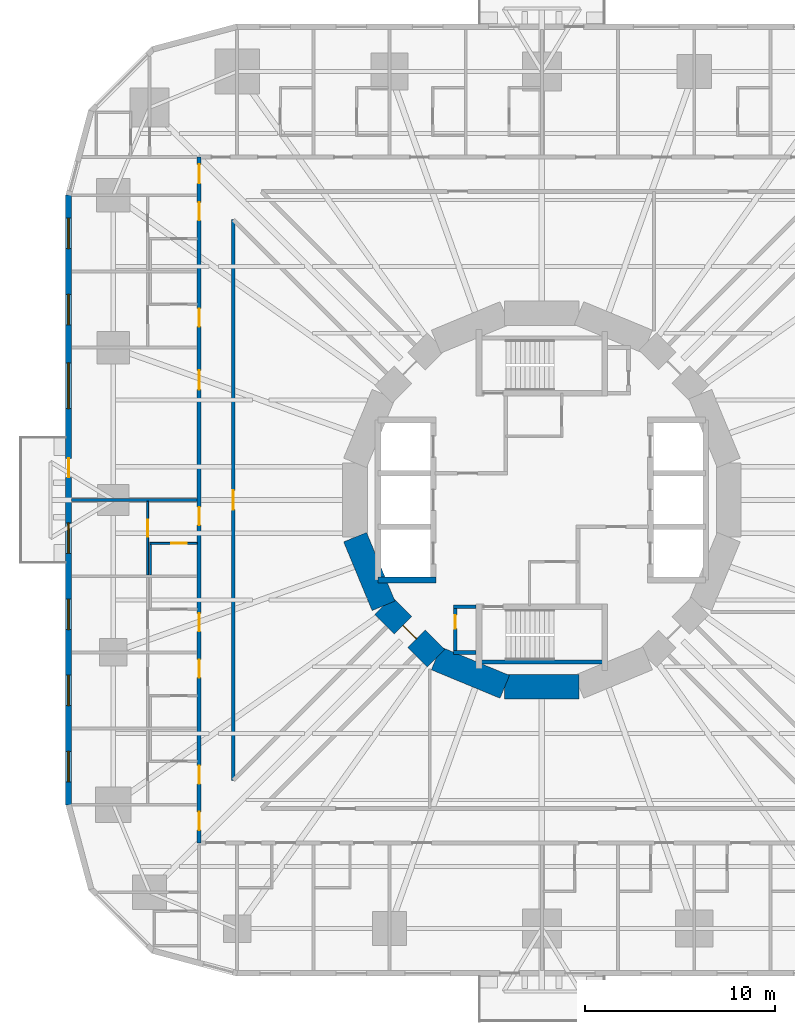
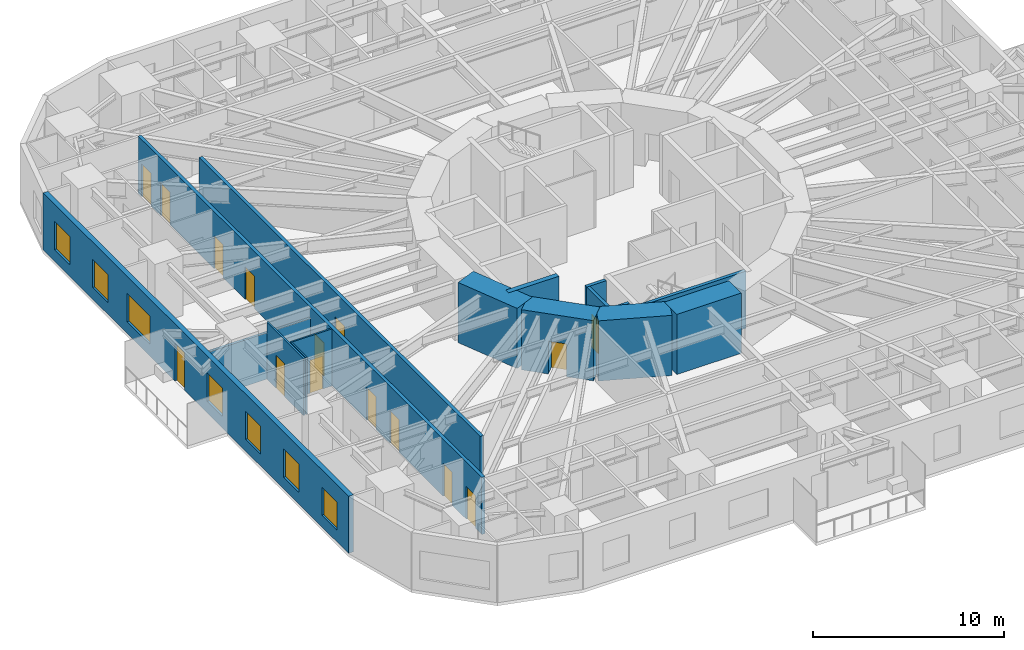
# One storey, part 6 of 14: 16 walls, 15 doors, 7 windows, 22 openings.
"""IFC4 building model written with IfcOpenShell, lengths in metres."""

import ifcopenshell
import ifcopenshell.guid

model = None  # the IFC model being written
_history = None  # IfcOwnerHistory: only IFC2X3 demands one
_inside = {}  # id of a spatial element -> (the spatial element, [elements in it])
_under = {}  # id of a project, library or spatial element -> (it, [spatial elements below it])
_declared = {}  # id of a project -> (the project, [libraries it declares])
_typed = {}  # id of a type object -> (the type object, [elements of that type])
_made_of = {}  # id of a material, layer set ... -> (it, [elements and type objects made of it])


def new_model(schema):
    """Start an empty IFC model of exactly this schema.

    Asked for "IFC4X3", IfcOpenShell would pick the latest addendum, in which some entities
    have other attributes; the version numbers below select the first issue.
    IFC2X3 requires an IfcOwnerHistory on every rooted entity: one is made here for all.
    """
    global model, _history
    if schema == "IFC4X3":
        model = ifcopenshell.file(schema_version=(4, 3, 0, 0))
    else:
        model = ifcopenshell.file(schema=schema)
    _inside.clear()
    _under.clear()
    _declared.clear()
    _typed.clear()
    _made_of.clear()
    _history = None
    if model.schema == "IFC2X3":
        org = make("IfcOrganization", Name="unknown")
        user = make(
            "IfcPersonAndOrganization",
            ThePerson=make("IfcPerson", FamilyName="unknown"),
            TheOrganization=org,
        )
        app = make(
            "IfcApplication",
            ApplicationDeveloper=org,
            Version="unknown",
            ApplicationFullName="unknown",
            ApplicationIdentifier="unknown",
        )
        _history = make(
            "IfcOwnerHistory",
            OwningUser=user,
            OwningApplication=app,
            ChangeAction="ADDED",
            CreationDate=0,
        )
    return model


def make(cls, **values):
    """One entity of the class cls with the attributes given. An attribute that is None is left unset."""
    return model.create_entity(
        cls, **{name: value for name, value in values.items() if value is not None}
    )


def rooted(cls, **values):
    """An entity with a GlobalId (a new one), such as an element, a storey or a relation."""
    return make(cls, GlobalId=ifcopenshell.guid.new(), OwnerHistory=_history, **values)


def si_unit(unit_type, name, prefix=None):
    """IfcSIUnit, for example si_unit("LENGTHUNIT", "METRE", prefix="MILLI")."""
    return make("IfcSIUnit", UnitType=unit_type, Prefix=prefix, Name=name)


def assignment(units):
    """IfcUnitAssignment: the units of a project."""
    return None if units is None else make("IfcUnitAssignment", Units=units)


def point(xyz):
    """IfcCartesianPoint."""
    return None if xyz is None else make("IfcCartesianPoint", Coordinates=xyz)


def direction(xyz):
    """IfcDirection."""
    return None if xyz is None else make("IfcDirection", DirectionRatios=xyz)


def frame(location, z_axis=None, x_axis=None):
    """IfcAxis2Placement3D, a coordinate frame: its origin and axes. An axis left out is left unset."""
    return make(
        "IfcAxis2Placement3D",
        Location=point(location),
        Axis=direction(z_axis),
        RefDirection=direction(x_axis),
    )


def frame_2d(location, x_axis=None):
    """IfcAxis2Placement2D, a coordinate frame in the plane: its origin and x axis."""
    return make(
        "IfcAxis2Placement2D", Location=point(location), RefDirection=direction(x_axis)
    )


def origin():
    """The frame at (0, 0, 0) with its axes left unset."""
    return frame((0.0, 0.0, 0.0))


def place(relative_to, where):
    """IfcLocalPlacement: puts the frame where relative to a parent placement (None: the world)."""
    return make(
        "IfcLocalPlacement", PlacementRelTo=relative_to, RelativePlacement=where
    )


def context(
    kind, dimensions, precision=None, world=None, true_north=None, identifier=None
):
    """IfcGeometricRepresentationContext, for example the 3D "Model" context."""
    return make(
        "IfcGeometricRepresentationContext",
        ContextIdentifier=identifier,
        ContextType=kind,
        CoordinateSpaceDimension=dimensions,
        Precision=precision,
        WorldCoordinateSystem=world,
        TrueNorth=true_north,
    )


def subcontext(parent, identifier, kind, view, scale=None):
    """IfcGeometricRepresentationSubContext, for example "Body" below "Model"."""
    return make(
        "IfcGeometricRepresentationSubContext",
        ContextIdentifier=identifier,
        ContextType=kind,
        ParentContext=parent,
        TargetScale=scale,
        TargetView=view,
    )


def project(units=None, contexts=None):
    """IfcProject with its units and contexts."""
    return rooted(
        "IfcProject",
        Name="project",
        RepresentationContexts=contexts,
        UnitsInContext=assignment(units),
    )


def spatial(cls, under=None, at=None, **own):
    """A site, building, storey or space (cls), placed at a placement, below another one or the project."""
    s = rooted(cls, ObjectPlacement=at, **own)
    if under is not None:
        _under.setdefault(under.id(), (under, []))[1].append(s)
    return s


def profile(cls, at=None, kind="AREA", **sizes):
    """A parametric profile (cls). Its sizes go by their IFC names, for example OverallWidth=200.0."""
    return make(cls, ProfileType=kind, Position=at, **sizes)


def rectangle(**sizes):
    """IfcRectangleProfileDef."""
    return profile("IfcRectangleProfileDef", **sizes)


def extrude(swept, where, along, depth):
    """IfcExtrudedAreaSolid: the profile swept, set in the frame where, extruded along a direction by depth."""
    return make(
        "IfcExtrudedAreaSolid",
        SweptArea=swept,
        Position=where,
        ExtrudedDirection=direction(along),
        Depth=depth,
    )


def shape(context_of_items, identifier, shape_type, items):
    """IfcShapeRepresentation: the items that make up one representation, for example the "Body"."""
    return make(
        "IfcShapeRepresentation",
        ContextOfItems=context_of_items,
        RepresentationIdentifier=identifier,
        RepresentationType=shape_type,
        Items=items,
    )


def material(Name=None, Category=None):
    """IfcMaterial."""
    return make("IfcMaterial", Name=Name, Category=Category)


def layer(
    of_material, thickness, ventilated=None, Name=None, Category=None, Priority=None
):
    """IfcMaterialLayer: one layer of a wall or slab, of a material (None: an air gap)."""
    return make(
        "IfcMaterialLayer",
        Material=of_material,
        LayerThickness=thickness,
        IsVentilated=ventilated,
        Name=Name,
        Category=Category,
        Priority=Priority,
    )


def layer_set(layers, Name=None):
    """IfcMaterialLayerSet."""
    return make("IfcMaterialLayerSet", MaterialLayers=layers, LayerSetName=Name)


def made_of(thing, what):
    """Note that an element or type object is made of a material, layer set ...; save() writes the relation."""
    if what is not None:
        _made_of.setdefault(what.id(), (what, []))[1].append(thing)
    return thing


def type_object(cls, material=None, **own):
    """A type object (cls), such as IfcWallType, which elements share."""
    return made_of(rooted(cls, **own), material)


def element(
    cls,
    number,
    at=None,
    inside=None,
    cuts=None,
    type_object=None,
    material=None,
    context=None,
    identifier="Body",
    shape_type=None,
    held_by="IfcProductDefinitionShape",
    body=None,
    shapes=None,
    **own,
):
    """One element of the class cls, such as IfcWall. Its Tag is "e" and its number.

    at: its placement. inside: the storey or other place that contains it. cuts: it is an
    opening in that element (IfcRelVoidsElement). A single representation is given by context,
    identifier, shape_type and body (its items); several are given by shapes. held_by: the class
    of the entity that holds the representations. save() writes the other relations.
    """
    e = rooted(cls, Tag="e%d" % number, ObjectPlacement=at, **own)
    if body is not None:
        shapes = [shape(context, identifier, shape_type, body)]
    if shapes is not None:
        e.Representation = make(held_by, Representations=shapes)
    if inside is not None:
        _inside.setdefault(inside.id(), (inside, []))[1].append(e)
    if cuts is not None:
        rooted(
            "IfcRelVoidsElement", RelatingBuildingElement=cuts, RelatedOpeningElement=e
        )
    if type_object is not None:
        _typed.setdefault(type_object.id(), (type_object, []))[1].append(e)
    return made_of(e, material)


def fill(opening, filler):
    """IfcRelFillsElement: the door or window that sits in an opening."""
    return rooted(
        "IfcRelFillsElement",
        RelatingOpeningElement=opening,
        RelatedBuildingElement=filler,
    )


def aggregate(whole, parts):
    """IfcRelAggregates: a whole, such as a stair, and the parts it consists of."""
    return rooted("IfcRelAggregates", RelatingObject=whole, RelatedObjects=parts)


def save(model, path):
    """Write the relations noted so far, then the file.

    IfcRelAggregates (storeys below a building ...), IfcRelContainedInSpatialStructure (elements
    in a storey), IfcRelDefinesByType, IfcRelAssociatesMaterial and IfcRelDeclares: one each for
    every whole, place, type object, material and project.
    """
    for whole, parts in _under.values():
        aggregate(whole, parts)
    for where, things in _inside.values():
        rooted(
            "IfcRelContainedInSpatialStructure",
            RelatedElements=things,
            RelatingStructure=where,
        )
    for kind, things in _typed.values():
        rooted("IfcRelDefinesByType", RelatedObjects=things, RelatingType=kind)
    for what, things in _made_of.values():
        rooted("IfcRelAssociatesMaterial", RelatedObjects=things, RelatingMaterial=what)
    for by, libraries in _declared.values():
        rooted("IfcRelDeclares", RelatingContext=by, RelatedDefinitions=libraries)
    model.write(path)


model = new_model("IFC4")

# Units and contexts
model_context = context("Model", 3, precision=1e-05, world=origin(), true_north=direction((0.0, 1.0)))
body_context = subcontext(model_context, "Body", "Model", "MODEL_VIEW")
ifc_project = project(units=[si_unit("LENGTHUNIT", "METRE"), si_unit("AREAUNIT", "SQUARE_METRE"), si_unit("VOLUMEUNIT", "CUBIC_METRE"), si_unit("PLANEANGLEUNIT", "RADIAN"), si_unit("MASSUNIT", "GRAM", prefix="KILO")], contexts=[model_context])

# Site, building, storey
site_placement = place(None, origin())
site = spatial("IfcSite", under=ifc_project, at=site_placement, CompositionType="ELEMENT")
building_placement = place(site_placement, origin())
building = spatial("IfcBuilding", under=site, at=building_placement, Name="Nakasero Lantern House", CompositionType="ELEMENT")
storey_placement = place(building_placement, frame((0.0, 0.0, 42.949951171875)))
storey = spatial("IfcBuildingStorey", under=building, at=storey_placement, Name="L10", CompositionType="ELEMENT", Elevation=42.949951171875)

# Walls
ifc_material_1 = material(Name="Concrete C50/60", Category="concrete")
ifc_layer_1 = layer(ifc_material_1, 0.300048828125)
ifc_layer_set_1 = layer_set([ifc_layer_1], Name="Core inner wall 300")
wall_type_1 = type_object("IfcWallType", Name="Core inner wall 300", PredefinedType="SHEAR", material=ifc_layer_set_1)
wall_1_placement = place(storey_placement, frame((-8.60009765625, -4.199951171875, 0.0), z_axis=(0.0, 0.0, 1.0), x_axis=(1.0, 0.0, 0.0)))
element("IfcWall", 1, at=wall_1_placement, inside=storey, type_object=wall_type_1, Name="Core inner wall L10 LWS", PredefinedType="SHEAR", context=body_context, shape_type="SweptSolid", body=[
    extrude(rectangle(XDim=3.050048828125, YDim=0.300048828125, at=frame_2d((1.52490234375, 0.0))), origin(), (0.0, 0.0, 1.0), 3.85009765625),
])
ifc_material_2 = material(Name="Concrete C50/60", Category="concrete")
ifc_layer_2 = layer(ifc_material_2, 1.300048828125)
ifc_layer_set_2 = layer_set([ifc_layer_2], Name="Core wall 1300")
wall_type_2 = type_object("IfcWallType", Name="Core wall 1300", PredefinedType="SHEAR", material=ifc_layer_set_2)
wall_2_placement = place(storey_placement, frame((-9.807861328125, -1.950927734375, 0.0), z_axis=(0.0, 0.0, 1.0), x_axis=(0.382690736062, -0.923876507187, 0.0)))
element("IfcWall", 2, at=wall_2_placement, inside=storey, type_object=wall_type_2, Name="Core wall L10 facet 9", PredefinedType="SHEAR", context=body_context, shape_type="SweptSolid", body=[
    extrude(rectangle(XDim=3.90185546875, YDim=1.300048828125, at=frame_2d((1.950927734375, 0.0))), origin(), (0.0, 0.0, 1.0), 3.85009765625),
])

# Wall, opening, door
wall_3_placement = place(storey_placement, frame((-8.314697265625, -5.5556640625, 0.0), z_axis=(0.0, 0.0, 1.0), x_axis=(0.707106781187, -0.707106781187, 0.0)))
wall_3 = element("IfcWall", 3, at=wall_3_placement, inside=storey, type_object=wall_type_2, Name="Core wall L10 facet 10", PredefinedType="SHEAR", context=body_context, shape_type="SweptSolid", body=[
    extrude(rectangle(XDim=3.90185546875, YDim=1.300048828125, at=frame_2d((1.950927734375, 0.0))), origin(), (0.0, 0.0, 1.0), 3.85009765625),
])
opening_1_placement = place(wall_3_placement, frame((1.450927734375, 0.0, 0.0)))
opening_1 = element("IfcOpeningElement", 4, at=opening_1_placement, cuts=wall_3, Name="Opening D05", PredefinedType="OPENING", context=body_context, shape_type="SweptSolid", body=[
    extrude(rectangle(XDim=1.0, YDim=2.10009765625, at=frame_2d((0.5, 1.050048828125))), frame((0.0, 0.669921875, 0.0), z_axis=(0.0, -1.0, 0.0), x_axis=(1.0, 0.0, 0.0)), (0.0, 0.0, 1.0), 1.340087890625),
])
ifc_material_3 = material(Name="Timber C24", Category="wood")
door_type_1 = type_object("IfcDoorType", Name="Core door FD60S 1000", OperationType="SINGLE_SWING_LEFT", PredefinedType="DOOR", material=ifc_material_3)
door_1_placement = place(opening_1_placement, origin())
door_1 = element("IfcDoor", 5, at=door_1_placement, inside=storey, type_object=door_type_1, Name="Door L10 D-CORE10", OperationType="SINGLE_SWING_LEFT", OverallHeight=2.10009765625, OverallWidth=1.0, PredefinedType="DOOR", context=body_context, shape_type="SweptSolid", body=[
    extrude(rectangle(XDim=1.0, YDim=2.10009765625, at=frame_2d((0.5, 1.050048828125))), frame((0.0, 0.02490234375, 0.0), z_axis=(0.0, -1.0, 0.0), x_axis=(1.0, 0.0, 0.0)), (0.0, 0.0, 1.0), 0.050048828125),
])
fill(opening_1, door_1)

# Walls
for number, where, z_axis, x_axis, name in (
    (6, (-5.5556640625, -8.314697265625, 0.0), (0.0, 0.0, 1.0), (0.923876507187, -0.382690736062, 0.0), "Core wall L10 facet 11"),
    (7, (-1.950927734375, -9.807861328125, 0.0), (0.0, 0.0, 1.0), (1.0, 0.0, 0.0), "Core wall L10 facet 12"),
):
    element("IfcWall", number, at=place(storey_placement, frame(where, z_axis=z_axis, x_axis=x_axis)), inside=storey, type_object=wall_type_2, Name=name, PredefinedType="SHEAR", context=body_context, shape_type="SweptSolid", body=[
        extrude(rectangle(XDim=3.90185546875, YDim=1.300048828125, at=frame_2d((1.950927734375, 0.0))), origin(), (0.0, 0.0, 1.0), 3.85009765625),
    ])

# Wall, openings, doors
ifc_material_4 = material(Name="Blockwork", Category="masonry")
ifc_layer_3 = layer(ifc_material_4, 0.199951171875)
ifc_layer_set_3 = layer_set([ifc_layer_3], Name="Corridor wall 200")
wall_type_3 = type_object("IfcWallType", Name="Corridor wall 200", PredefinedType="PARTITIONING", material=ifc_layer_set_3)
wall_4_placement = place(storey_placement, frame((-18.0, 18.0, 0.0), z_axis=(0.0, 0.0, 1.0), x_axis=(0.0, -1.0, 0.0)))
wall_4 = element("IfcWall", 8, at=wall_4_placement, inside=storey, type_object=wall_type_3, Name="Corridor wall L10 CW2", PredefinedType="PARTITIONING", context=body_context, shape_type="SweptSolid", body=[
    extrude(rectangle(XDim=36.0, YDim=0.199951171875, at=frame_2d((18.0, 0.0))), origin(), (0.0, 0.0, 1.0), 3.650146484375),
])
opening_2_placement = place(wall_4_placement, frame((0.375, 0.0, 0.0)))
opening_2 = element("IfcOpeningElement", 9, at=opening_2_placement, cuts=wall_4, Name="Opening D07", PredefinedType="OPENING", context=body_context, shape_type="SweptSolid", body=[
    extrude(rectangle(XDim=1.0, YDim=2.10009765625, at=frame_2d((0.5, 1.050048828125))), frame((0.0, 0.119873046875, 0.0), z_axis=(0.0, -1.0, 0.0), x_axis=(1.0, 0.0, 0.0)), (0.0, 0.0, 1.0), 0.239990234375),
])
opening_3_placement = place(wall_4_placement, frame((2.375, 0.0, 0.0)))
opening_3 = element("IfcOpeningElement", 10, at=opening_3_placement, cuts=wall_4, Name="Opening D01", PredefinedType="OPENING", context=body_context, shape_type="SweptSolid", body=[
    extrude(rectangle(XDim=0.949951171875, YDim=2.10009765625, at=frame_2d((0.47509765625, 1.050048828125))), frame((0.0, 0.119873046875, 0.0), z_axis=(0.0, -1.0, 0.0), x_axis=(1.0, 0.0, 0.0)), (0.0, 0.0, 1.0), 0.239990234375),
])
opening_4_placement = place(wall_4_placement, frame((7.949951171875, 0.0, 0.0)))
opening_4 = element("IfcOpeningElement", 11, at=opening_4_placement, cuts=wall_4, Name="Opening D01", PredefinedType="OPENING", context=body_context, shape_type="SweptSolid", body=[
    extrude(rectangle(XDim=0.949951171875, YDim=2.10009765625, at=frame_2d((0.47509765625, 1.050048828125))), frame((0.0, 0.119873046875, 0.0), z_axis=(0.0, -1.0, 0.0), x_axis=(1.0, 0.0, 0.0)), (0.0, 0.0, 1.0), 0.239990234375),
])
opening_5_placement = place(wall_4_placement, frame((18.375, 0.0, 0.0)))
opening_5 = element("IfcOpeningElement", 12, at=opening_5_placement, cuts=wall_4, Name="Opening D01", PredefinedType="OPENING", context=body_context, shape_type="SweptSolid", body=[
    extrude(rectangle(XDim=0.949951171875, YDim=2.10009765625, at=frame_2d((0.47509765625, 1.050048828125))), frame((0.0, 0.119873046875, 0.0), z_axis=(0.0, -1.0, 0.0), x_axis=(1.0, 0.0, 0.0)), (0.0, 0.0, 1.0), 0.239990234375),
])
opening_6_placement = place(wall_4_placement, frame((23.949951171875, 0.0, 0.0)))
opening_6 = element("IfcOpeningElement", 13, at=opening_6_placement, cuts=wall_4, Name="Opening D01", PredefinedType="OPENING", context=body_context, shape_type="SweptSolid", body=[
    extrude(rectangle(XDim=0.949951171875, YDim=2.10009765625, at=frame_2d((0.47509765625, 1.050048828125))), frame((0.0, 0.119873046875, 0.0), z_axis=(0.0, -1.0, 0.0), x_axis=(1.0, 0.0, 0.0)), (0.0, 0.0, 1.0), 0.239990234375),
])
opening_7_placement = place(wall_4_placement, frame((26.375, 0.0, 0.0)))
opening_7 = element("IfcOpeningElement", 14, at=opening_7_placement, cuts=wall_4, Name="Opening D01", PredefinedType="OPENING", context=body_context, shape_type="SweptSolid", body=[
    extrude(rectangle(XDim=0.949951171875, YDim=2.10009765625, at=frame_2d((0.47509765625, 1.050048828125))), frame((0.0, 0.119873046875, 0.0), z_axis=(0.0, -1.0, 0.0), x_axis=(1.0, 0.0, 0.0)), (0.0, 0.0, 1.0), 0.239990234375),
])
opening_8_placement = place(wall_4_placement, frame((31.949951171875, 0.0, 0.0)))
opening_8 = element("IfcOpeningElement", 15, at=opening_8_placement, cuts=wall_4, Name="Opening D01", PredefinedType="OPENING", context=body_context, shape_type="SweptSolid", body=[
    extrude(rectangle(XDim=0.949951171875, YDim=2.10009765625, at=frame_2d((0.47509765625, 1.050048828125))), frame((0.0, 0.119873046875, 0.0), z_axis=(0.0, -1.0, 0.0), x_axis=(1.0, 0.0, 0.0)), (0.0, 0.0, 1.0), 0.239990234375),
])
opening_9_placement = place(wall_4_placement, frame((34.375, 0.0, 0.0)))
opening_9 = element("IfcOpeningElement", 16, at=opening_9_placement, cuts=wall_4, Name="Opening D01", PredefinedType="OPENING", context=body_context, shape_type="SweptSolid", body=[
    extrude(rectangle(XDim=0.949951171875, YDim=2.10009765625, at=frame_2d((0.47509765625, 1.050048828125))), frame((0.0, 0.119873046875, 0.0), z_axis=(0.0, -1.0, 0.0), x_axis=(1.0, 0.0, 0.0)), (0.0, 0.0, 1.0), 0.239990234375),
])
opening_10_placement = place(wall_4_placement, frame((11.199951171875, 0.0, 0.0)))
opening_10 = element("IfcOpeningElement", 17, at=opening_10_placement, cuts=wall_4, Name="Opening D03", PredefinedType="OPENING", context=body_context, shape_type="SweptSolid", body=[
    extrude(rectangle(XDim=1.0, YDim=2.10009765625, at=frame_2d((0.5, 1.050048828125))), frame((0.0, 0.119873046875, 0.0), z_axis=(0.0, -1.0, 0.0), x_axis=(1.0, 0.0, 0.0)), (0.0, 0.0, 1.0), 0.239990234375),
])
ifc_material_5 = material(Name="Timber C24", Category="wood")
door_type_2 = type_object("IfcDoorType", Name="Bedroom door FD30S 950", OperationType="SINGLE_SWING_LEFT", PredefinedType="DOOR", material=ifc_material_5)
door_2_placement = place(opening_3_placement, origin())
door_2 = element("IfcDoor", 18, at=door_2_placement, inside=storey, type_object=door_type_2, Name="Door L10 D2-01", OperationType="SINGLE_SWING_LEFT", OverallHeight=2.10009765625, OverallWidth=0.949951171875, PredefinedType="DOOR", context=body_context, shape_type="SweptSolid", body=[
    extrude(rectangle(XDim=0.949951171875, YDim=2.10009765625, at=frame_2d((0.47509765625, 1.050048828125))), frame((0.0, 0.02490234375, 0.0), z_axis=(0.0, -1.0, 0.0), x_axis=(1.0, 0.0, 0.0)), (0.0, 0.0, 1.0), 0.050048828125),
])
fill(opening_3, door_2)
door_3_placement = place(opening_4_placement, origin())
door_3 = element("IfcDoor", 19, at=door_3_placement, inside=storey, type_object=door_type_2, Name="Door L10 D2-02", OperationType="SINGLE_SWING_LEFT", OverallHeight=2.10009765625, OverallWidth=0.949951171875, PredefinedType="DOOR", context=body_context, shape_type="SweptSolid", body=[
    extrude(rectangle(XDim=0.949951171875, YDim=2.10009765625, at=frame_2d((0.47509765625, 1.050048828125))), frame((0.0, 0.02490234375, 0.0), z_axis=(0.0, -1.0, 0.0), x_axis=(1.0, 0.0, 0.0)), (0.0, 0.0, 1.0), 0.050048828125),
])
fill(opening_4, door_3)
door_4_placement = place(opening_5_placement, origin())
door_4 = element("IfcDoor", 20, at=door_4_placement, inside=storey, type_object=door_type_2, Name="Door L10 D2-05", OperationType="SINGLE_SWING_RIGHT", OverallHeight=2.10009765625, OverallWidth=0.949951171875, PredefinedType="DOOR", context=body_context, shape_type="SweptSolid", body=[
    extrude(rectangle(XDim=0.949951171875, YDim=2.10009765625, at=frame_2d((0.47509765625, 1.050048828125))), frame((0.0, 0.02490234375, 0.0), z_axis=(0.0, -1.0, 0.0), x_axis=(1.0, 0.0, 0.0)), (0.0, 0.0, 1.0), 0.050048828125),
])
fill(opening_5, door_4)
door_5_placement = place(opening_6_placement, origin())
door_5 = element("IfcDoor", 21, at=door_5_placement, inside=storey, type_object=door_type_2, Name="Door L10 D2-06", OperationType="SINGLE_SWING_RIGHT", OverallHeight=2.10009765625, OverallWidth=0.949951171875, PredefinedType="DOOR", context=body_context, shape_type="SweptSolid", body=[
    extrude(rectangle(XDim=0.949951171875, YDim=2.10009765625, at=frame_2d((0.47509765625, 1.050048828125))), frame((0.0, 0.02490234375, 0.0), z_axis=(0.0, -1.0, 0.0), x_axis=(1.0, 0.0, 0.0)), (0.0, 0.0, 1.0), 0.050048828125),
])
fill(opening_6, door_5)
door_6_placement = place(opening_7_placement, origin())
door_6 = element("IfcDoor", 22, at=door_6_placement, inside=storey, type_object=door_type_2, Name="Door L10 D2-07", OperationType="SINGLE_SWING_RIGHT", OverallHeight=2.10009765625, OverallWidth=0.949951171875, PredefinedType="DOOR", context=body_context, shape_type="SweptSolid", body=[
    extrude(rectangle(XDim=0.949951171875, YDim=2.10009765625, at=frame_2d((0.47509765625, 1.050048828125))), frame((0.0, 0.02490234375, 0.0), z_axis=(0.0, -1.0, 0.0), x_axis=(1.0, 0.0, 0.0)), (0.0, 0.0, 1.0), 0.050048828125),
])
fill(opening_7, door_6)
door_7_placement = place(opening_8_placement, origin())
door_7 = element("IfcDoor", 23, at=door_7_placement, inside=storey, type_object=door_type_2, Name="Door L10 D2-08", OperationType="SINGLE_SWING_RIGHT", OverallHeight=2.10009765625, OverallWidth=0.949951171875, PredefinedType="DOOR", context=body_context, shape_type="SweptSolid", body=[
    extrude(rectangle(XDim=0.949951171875, YDim=2.10009765625, at=frame_2d((0.47509765625, 1.050048828125))), frame((0.0, 0.02490234375, 0.0), z_axis=(0.0, -1.0, 0.0), x_axis=(1.0, 0.0, 0.0)), (0.0, 0.0, 1.0), 0.050048828125),
])
fill(opening_8, door_7)
door_8_placement = place(opening_9_placement, origin())
door_8 = element("IfcDoor", 24, at=door_8_placement, inside=storey, type_object=door_type_2, Name="Door L10 D2-09", OperationType="SINGLE_SWING_RIGHT", OverallHeight=2.10009765625, OverallWidth=0.949951171875, PredefinedType="DOOR", context=body_context, shape_type="SweptSolid", body=[
    extrude(rectangle(XDim=0.949951171875, YDim=2.10009765625, at=frame_2d((0.47509765625, 1.050048828125))), frame((0.0, 0.02490234375, 0.0), z_axis=(0.0, -1.0, 0.0), x_axis=(1.0, 0.0, 0.0)), (0.0, 0.0, 1.0), 0.050048828125),
])
fill(opening_9, door_8)
ifc_material_6 = material(Name="Timber C24", Category="wood")
door_type_3 = type_object("IfcDoorType", Name="Lounge door FD30S 1000", OperationType="SINGLE_SWING_LEFT", PredefinedType="DOOR", material=ifc_material_6)
door_9_placement = place(opening_10_placement, origin())
door_9 = element("IfcDoor", 25, at=door_9_placement, inside=storey, type_object=door_type_3, Name="Door L10 DK2", OperationType="SINGLE_SWING_LEFT", OverallHeight=2.10009765625, OverallWidth=1.0, PredefinedType="DOOR", context=body_context, shape_type="SweptSolid", body=[
    extrude(rectangle(XDim=1.0, YDim=2.10009765625, at=frame_2d((0.5, 1.050048828125))), frame((0.0, 0.02490234375, 0.0), z_axis=(0.0, -1.0, 0.0), x_axis=(1.0, 0.0, 0.0)), (0.0, 0.0, 1.0), 0.050048828125),
])
fill(opening_10, door_9)
ifc_material_7 = material(Name="Timber C24", Category="wood")
door_type_4 = type_object("IfcDoorType", Name="Room door FD30S 1000", OperationType="SINGLE_SWING_LEFT", PredefinedType="DOOR", material=ifc_material_7)
door_10_placement = place(opening_2_placement, origin())
door_10 = element("IfcDoor", 26, at=door_10_placement, inside=storey, type_object=door_type_4, Name="Door L10 D2-00", OperationType="SINGLE_SWING_LEFT", OverallHeight=2.10009765625, OverallWidth=1.0, PredefinedType="DOOR", context=body_context, shape_type="SweptSolid", body=[
    extrude(rectangle(XDim=1.0, YDim=2.10009765625, at=frame_2d((0.5, 1.050048828125))), frame((0.0, 0.02490234375, 0.0), z_axis=(0.0, -1.0, 0.0), x_axis=(1.0, 0.0, 0.0)), (0.0, 0.0, 1.0), 0.050048828125),
])
fill(opening_2, door_10)

# Wall, opening, door
wall_5_placement = place(storey_placement, frame((-16.199951171875, 14.715087890625, 0.0), z_axis=(0.0, 0.0, 1.0), x_axis=(0.0, -1.0, 0.0)))
wall_5 = element("IfcWall", 27, at=wall_5_placement, inside=storey, type_object=wall_type_3, Name="Corridor wall L10 IW2-0", PredefinedType="PARTITIONING", context=body_context, shape_type="SweptSolid", body=[
    extrude(rectangle(XDim=29.43017578125, YDim=0.199951171875, at=frame_2d((14.715087890625, 0.0))), origin(), (0.0, 0.0, 1.0), 3.650146484375),
])
opening_11_placement = place(wall_5_placement, frame((14.215087890625, 0.0, 0.0)))
opening_11 = element("IfcOpeningElement", 28, at=opening_11_placement, cuts=wall_5, Name="Opening D07", PredefinedType="OPENING", context=body_context, shape_type="SweptSolid", body=[
    extrude(rectangle(XDim=1.0, YDim=2.10009765625, at=frame_2d((0.5, 1.050048828125))), frame((0.0, 0.119873046875, 0.0), z_axis=(0.0, -1.0, 0.0), x_axis=(1.0, 0.0, 0.0)), (0.0, 0.0, 1.0), 0.239990234375),
])
door_11_placement = place(opening_11_placement, origin())
door_11 = element("IfcDoor", 29, at=door_11_placement, inside=storey, type_object=door_type_4, Name="Door L10 DI3", OperationType="SINGLE_SWING_LEFT", OverallHeight=2.10009765625, OverallWidth=1.0, PredefinedType="DOOR", context=body_context, shape_type="SweptSolid", body=[
    extrude(rectangle(XDim=1.0, YDim=2.10009765625, at=frame_2d((0.5, 1.050048828125))), frame((0.0, 0.02490234375, 0.0), z_axis=(0.0, -1.0, 0.0), x_axis=(1.0, 0.0, 0.0)), (0.0, 0.0, 1.0), 0.050048828125),
])
fill(opening_11, door_11)

ifc_material_8 = material(Name="Blockwork", Category="masonry")
ifc_layer_4 = layer(ifc_material_8, 0.10009765625)
ifc_layer_set_4 = layer_set([ifc_layer_4], Name="En-suite wall 100")
wall_type_4 = type_object("IfcWallType", Name="En-suite wall 100", PredefinedType="PARTITIONING", material=ifc_layer_set_4)
wall_6_placement = place(storey_placement, frame((-18.10009765625, -2.27490234375, 0.0), z_axis=(0.0, 0.0, 1.0), x_axis=(-1.0, 0.0, 0.0)))
wall_6 = element("IfcWall", 30, at=wall_6_placement, inside=storey, type_object=wall_type_4, Name="En-suite wall L10 ES2-05", PredefinedType="PARTITIONING", context=body_context, shape_type="SweptSolid", body=[
    extrude(rectangle(XDim=2.5, YDim=0.10009765625, at=frame_2d((1.25, 0.0))), origin(), (0.0, 0.0, 1.0), 3.650146484375),
])
opening_12_placement = place(wall_6_placement, frame((0.550048828125, 0.0, 0.0)))
opening_12 = element("IfcOpeningElement", 31, at=opening_12_placement, cuts=wall_6, Name="Opening D02", PredefinedType="OPENING", context=body_context, shape_type="SweptSolid", body=[
    extrude(rectangle(XDim=0.800048828125, YDim=2.10009765625, at=frame_2d((0.39990234375, 1.050048828125))), frame((0.0, 0.070068359375, 0.0), z_axis=(0.0, -1.0, 0.0), x_axis=(1.0, 0.0, 0.0)), (0.0, 0.0, 1.0), 0.14013671875),
])
ifc_material_9 = material(Name="Timber C24", Category="wood")
door_type_5 = type_object("IfcDoorType", Name="En-suite door 800", OperationType="SINGLE_SWING_RIGHT", PredefinedType="DOOR", material=ifc_material_9)
door_12_placement = place(opening_12_placement, origin())
door_12 = element("IfcDoor", 32, at=door_12_placement, inside=storey, type_object=door_type_5, Name="Door L10 DE2-05", OperationType="SINGLE_SWING_LEFT", OverallHeight=2.10009765625, OverallWidth=0.800048828125, PredefinedType="DOOR", context=body_context, shape_type="SweptSolid", body=[
    extrude(rectangle(XDim=0.800048828125, YDim=2.10009765625, at=frame_2d((0.39990234375, 1.050048828125))), frame((0.0, 0.02490234375, 0.0), z_axis=(0.0, -1.0, 0.0), x_axis=(1.0, 0.0, 0.0)), (0.0, 0.0, 1.0), 0.050048828125),
])
fill(opening_12, door_12)

# Wall
wall_7_placement = place(storey_placement, frame((-20.550048828125, -2.324951171875, 0.0), z_axis=(0.0, 0.0, 1.0), x_axis=(0.0, -1.0, 0.0)))
element("IfcWall", 33, at=wall_7_placement, inside=storey, type_object=wall_type_4, Name="En-suite wall L10 EE2-05", PredefinedType="PARTITIONING", context=body_context, shape_type="SweptSolid", body=[
    extrude(rectangle(XDim=1.60009765625, YDim=0.10009765625, at=frame_2d((0.800048828125, 0.0))), origin(), (0.0, 0.0, 1.0), 3.650146484375),
])

# Wall, opening, door
wall_8_placement = place(storey_placement, frame((-20.699951171875, -0.074951171875, 0.0), z_axis=(0.0, 0.0, 1.0), x_axis=(0.0, -1.0, 0.0)))
wall_8 = element("IfcWall", 34, at=wall_8_placement, inside=storey, type_object=wall_type_4, Name="En-suite wall L10 EL2-05", PredefinedType="PARTITIONING", context=body_context, shape_type="SweptSolid", body=[
    extrude(rectangle(XDim=3.85009765625, YDim=0.10009765625, at=frame_2d((1.925048828125, 0.0))), origin(), (0.0, 0.0, 1.0), 3.650146484375),
])
opening_13_placement = place(wall_8_placement, frame((0.949951171875, 0.0, 0.0)))
opening_13 = element("IfcOpeningElement", 35, at=opening_13_placement, cuts=wall_8, Name="Opening D17", PredefinedType="OPENING", context=body_context, shape_type="SweptSolid", body=[
    extrude(rectangle(XDim=0.89990234375, YDim=2.10009765625, at=frame_2d((0.449951171875, 1.050048828125))), frame((0.0, 0.070068359375, 0.0), z_axis=(0.0, -1.0, 0.0), x_axis=(1.0, 0.0, 0.0)), (0.0, 0.0, 1.0), 0.14013671875),
])
ifc_material_10 = material(Name="Timber C24", Category="wood")
door_type_6 = type_object("IfcDoorType", Name="Bedroom door FD30S 900", OperationType="SINGLE_SWING_LEFT", PredefinedType="DOOR", material=ifc_material_10)
door_13_placement = place(opening_13_placement, origin())
door_13 = element("IfcDoor", 36, at=door_13_placement, inside=storey, type_object=door_type_6, Name="Door L10 DL2-05", OperationType="SINGLE_SWING_LEFT", OverallHeight=2.10009765625, OverallWidth=0.89990234375, PredefinedType="DOOR", context=body_context, shape_type="SweptSolid", body=[
    extrude(rectangle(XDim=0.89990234375, YDim=2.10009765625, at=frame_2d((0.449951171875, 1.050048828125))), frame((0.0, 0.02490234375, 0.0), z_axis=(0.0, -1.0, 0.0), x_axis=(1.0, 0.0, 0.0)), (0.0, 0.0, 1.0), 0.050048828125),
])
fill(opening_13, door_13)

# Wall, openings, door, windows
ifc_material_11 = material(Name="Aluminium rainscreen on blockwork", Category="masonry")
ifc_layer_5 = layer(ifc_material_11, 0.300048828125)
ifc_layer_set_5 = layer_set([ifc_layer_5], Name="Facade wall 300")
wall_type_5 = type_object("IfcWallType", Name="Facade wall 300", PredefinedType="SOLIDWALL", material=ifc_layer_set_5)
wall_9_placement = place(storey_placement, frame((-24.85009765625, 16.0, 0.0), z_axis=(0.0, 0.0, 1.0), x_axis=(0.0, -1.0, 0.0)))
wall_9 = element("IfcWall", 37, at=wall_9_placement, inside=storey, type_object=wall_type_5, Name="Facade wall L10 FW2S", PredefinedType="SOLIDWALL", context=body_context, shape_type="SweptSolid", body=[
    extrude(rectangle(XDim=32.0, YDim=0.300048828125, at=frame_2d((16.0, 0.0))), origin(), (0.0, 0.0, 1.0), 3.650146484375),
])
opening_14_placement = place(wall_9_placement, frame((1.199951171875, 0.0, 0.75)))
opening_14 = element("IfcOpeningElement", 38, at=opening_14_placement, cuts=wall_9, Name="Opening W01", PredefinedType="OPENING", context=body_context, shape_type="SweptSolid", body=[
    extrude(rectangle(XDim=1.60009765625, YDim=1.800048828125, at=frame_2d((0.800048828125, 0.89990234375))), frame((0.0, 0.169921875, 0.0), z_axis=(0.0, -1.0, 0.0), x_axis=(1.0, 0.0, 0.0)), (0.0, 0.0, 1.0), 0.340087890625),
])
opening_15_placement = place(wall_9_placement, frame((5.199951171875, 0.0, 0.75)))
opening_15 = element("IfcOpeningElement", 39, at=opening_15_placement, cuts=wall_9, Name="Opening W01", PredefinedType="OPENING", context=body_context, shape_type="SweptSolid", body=[
    extrude(rectangle(XDim=1.60009765625, YDim=1.800048828125, at=frame_2d((0.800048828125, 0.89990234375))), frame((0.0, 0.169921875, 0.0), z_axis=(0.0, -1.0, 0.0), x_axis=(1.0, 0.0, 0.0)), (0.0, 0.0, 1.0), 0.340087890625),
])
opening_16_placement = place(wall_9_placement, frame((17.199951171875, 0.0, 0.75)))
opening_16 = element("IfcOpeningElement", 40, at=opening_16_placement, cuts=wall_9, Name="Opening W01", PredefinedType="OPENING", context=body_context, shape_type="SweptSolid", body=[
    extrude(rectangle(XDim=1.60009765625, YDim=1.800048828125, at=frame_2d((0.800048828125, 0.89990234375))), frame((0.0, 0.169921875, 0.0), z_axis=(0.0, -1.0, 0.0), x_axis=(1.0, 0.0, 0.0)), (0.0, 0.0, 1.0), 0.340087890625),
])
opening_17_placement = place(wall_9_placement, frame((21.199951171875, 0.0, 0.75)))
opening_17 = element("IfcOpeningElement", 41, at=opening_17_placement, cuts=wall_9, Name="Opening W01", PredefinedType="OPENING", context=body_context, shape_type="SweptSolid", body=[
    extrude(rectangle(XDim=1.60009765625, YDim=1.800048828125, at=frame_2d((0.800048828125, 0.89990234375))), frame((0.0, 0.169921875, 0.0), z_axis=(0.0, -1.0, 0.0), x_axis=(1.0, 0.0, 0.0)), (0.0, 0.0, 1.0), 0.340087890625),
])
opening_18_placement = place(wall_9_placement, frame((25.199951171875, 0.0, 0.75)))
opening_18 = element("IfcOpeningElement", 42, at=opening_18_placement, cuts=wall_9, Name="Opening W01", PredefinedType="OPENING", context=body_context, shape_type="SweptSolid", body=[
    extrude(rectangle(XDim=1.60009765625, YDim=1.800048828125, at=frame_2d((0.800048828125, 0.89990234375))), frame((0.0, 0.169921875, 0.0), z_axis=(0.0, -1.0, 0.0), x_axis=(1.0, 0.0, 0.0)), (0.0, 0.0, 1.0), 0.340087890625),
])
opening_19_placement = place(wall_9_placement, frame((29.199951171875, 0.0, 0.75)))
opening_19 = element("IfcOpeningElement", 43, at=opening_19_placement, cuts=wall_9, Name="Opening W01", PredefinedType="OPENING", context=body_context, shape_type="SweptSolid", body=[
    extrude(rectangle(XDim=1.60009765625, YDim=1.800048828125, at=frame_2d((0.800048828125, 0.89990234375))), frame((0.0, 0.169921875, 0.0), z_axis=(0.0, -1.0, 0.0), x_axis=(1.0, 0.0, 0.0)), (0.0, 0.0, 1.0), 0.340087890625),
])
opening_20_placement = place(wall_9_placement, frame((8.800048828125, 0.0, 0.75)))
opening_20 = element("IfcOpeningElement", 44, at=opening_20_placement, cuts=wall_9, Name="Opening W03", PredefinedType="OPENING", context=body_context, shape_type="SweptSolid", body=[
    extrude(rectangle(XDim=2.39990234375, YDim=1.800048828125, at=frame_2d((1.199951171875, 0.89990234375))), frame((0.0, 0.169921875, 0.0), z_axis=(0.0, -1.0, 0.0), x_axis=(1.0, 0.0, 0.0)), (0.0, 0.0, 1.0), 0.340087890625),
])
opening_21_placement = place(wall_9_placement, frame((13.8125, 0.0, 0.0)))
opening_21 = element("IfcOpeningElement", 45, at=opening_21_placement, cuts=wall_9, Name="Opening D04", PredefinedType="OPENING", context=body_context, shape_type="SweptSolid", body=[
    extrude(rectangle(XDim=1.0, YDim=2.39990234375, at=frame_2d((0.5, 1.199951171875))), frame((0.0, 0.169921875, 0.0), z_axis=(0.0, -1.0, 0.0), x_axis=(1.0, 0.0, 0.0)), (0.0, 0.0, 1.0), 0.340087890625),
])
ifc_material_12 = material(Name="Aluminium 6063-T6 and glass", Category="aluminium")
door_type_7 = type_object("IfcDoorType", Name="Balcony door 1000x2400", OperationType="SINGLE_SWING_RIGHT", PredefinedType="DOOR", material=ifc_material_12)
door_14_placement = place(opening_21_placement, origin())
door_14 = element("IfcDoor", 46, at=door_14_placement, inside=storey, type_object=door_type_7, Name="Balcony door L10 DB2", OperationType="SINGLE_SWING_RIGHT", OverallHeight=2.39990234375, OverallWidth=1.0, PredefinedType="DOOR", context=body_context, shape_type="SweptSolid", body=[
    extrude(rectangle(XDim=1.0, YDim=2.39990234375, at=frame_2d((0.5, 1.199951171875))), frame((0.0, 0.02490234375, 0.0), z_axis=(0.0, -1.0, 0.0), x_axis=(1.0, 0.0, 0.0)), (0.0, 0.0, 1.0), 0.050048828125),
])
fill(opening_21, door_14)
ifc_material_13 = material(Name="Aluminium 6063-T6 and glass", Category="aluminium")
window_type_1 = type_object("IfcWindowType", Name="Bedroom window 1600x1800", PartitioningType="SINGLE_PANEL", PredefinedType="WINDOW", material=ifc_material_13)
window_1_placement = place(opening_14_placement, origin())
window_1 = element("IfcWindow", 47, at=window_1_placement, inside=storey, type_object=window_type_1, Name="Window L10 WN2-01", OverallHeight=1.800048828125, OverallWidth=1.60009765625, PartitioningType="SINGLE_PANEL", PredefinedType="WINDOW", context=body_context, shape_type="SweptSolid", body=[
    extrude(rectangle(XDim=1.60009765625, YDim=1.800048828125, at=frame_2d((0.800048828125, 0.89990234375))), frame((0.0, 0.030029296875, 0.0), z_axis=(0.0, -1.0, 0.0), x_axis=(1.0, 0.0, 0.0)), (0.0, 0.0, 1.0), 0.06005859375),
])
fill(opening_14, window_1)
window_2_placement = place(opening_15_placement, origin())
window_2 = element("IfcWindow", 48, at=window_2_placement, inside=storey, type_object=window_type_1, Name="Window L10 WN2-02", OverallHeight=1.800048828125, OverallWidth=1.60009765625, PartitioningType="SINGLE_PANEL", PredefinedType="WINDOW", context=body_context, shape_type="SweptSolid", body=[
    extrude(rectangle(XDim=1.60009765625, YDim=1.800048828125, at=frame_2d((0.800048828125, 0.89990234375))), frame((0.0, 0.030029296875, 0.0), z_axis=(0.0, -1.0, 0.0), x_axis=(1.0, 0.0, 0.0)), (0.0, 0.0, 1.0), 0.06005859375),
])
fill(opening_15, window_2)
window_3_placement = place(opening_16_placement, origin())
window_3 = element("IfcWindow", 49, at=window_3_placement, inside=storey, type_object=window_type_1, Name="Window L10 WN2-05", OverallHeight=1.800048828125, OverallWidth=1.60009765625, PartitioningType="SINGLE_PANEL", PredefinedType="WINDOW", context=body_context, shape_type="SweptSolid", body=[
    extrude(rectangle(XDim=1.60009765625, YDim=1.800048828125, at=frame_2d((0.800048828125, 0.89990234375))), frame((0.0, 0.030029296875, 0.0), z_axis=(0.0, -1.0, 0.0), x_axis=(1.0, 0.0, 0.0)), (0.0, 0.0, 1.0), 0.06005859375),
])
fill(opening_16, window_3)
window_4_placement = place(opening_17_placement, origin())
window_4 = element("IfcWindow", 50, at=window_4_placement, inside=storey, type_object=window_type_1, Name="Window L10 WN2-06", OverallHeight=1.800048828125, OverallWidth=1.60009765625, PartitioningType="SINGLE_PANEL", PredefinedType="WINDOW", context=body_context, shape_type="SweptSolid", body=[
    extrude(rectangle(XDim=1.60009765625, YDim=1.800048828125, at=frame_2d((0.800048828125, 0.89990234375))), frame((0.0, 0.030029296875, 0.0), z_axis=(0.0, -1.0, 0.0), x_axis=(1.0, 0.0, 0.0)), (0.0, 0.0, 1.0), 0.06005859375),
])
fill(opening_17, window_4)
window_5_placement = place(opening_18_placement, origin())
window_5 = element("IfcWindow", 51, at=window_5_placement, inside=storey, type_object=window_type_1, Name="Window L10 WN2-07", OverallHeight=1.800048828125, OverallWidth=1.60009765625, PartitioningType="SINGLE_PANEL", PredefinedType="WINDOW", context=body_context, shape_type="SweptSolid", body=[
    extrude(rectangle(XDim=1.60009765625, YDim=1.800048828125, at=frame_2d((0.800048828125, 0.89990234375))), frame((0.0, 0.030029296875, 0.0), z_axis=(0.0, -1.0, 0.0), x_axis=(1.0, 0.0, 0.0)), (0.0, 0.0, 1.0), 0.06005859375),
])
fill(opening_18, window_5)
window_6_placement = place(opening_19_placement, origin())
window_6 = element("IfcWindow", 52, at=window_6_placement, inside=storey, type_object=window_type_1, Name="Window L10 WN2-08", OverallHeight=1.800048828125, OverallWidth=1.60009765625, PartitioningType="SINGLE_PANEL", PredefinedType="WINDOW", context=body_context, shape_type="SweptSolid", body=[
    extrude(rectangle(XDim=1.60009765625, YDim=1.800048828125, at=frame_2d((0.800048828125, 0.89990234375))), frame((0.0, 0.030029296875, 0.0), z_axis=(0.0, -1.0, 0.0), x_axis=(1.0, 0.0, 0.0)), (0.0, 0.0, 1.0), 0.06005859375),
])
fill(opening_19, window_6)
ifc_material_14 = material(Name="Aluminium 6063-T6 and glass", Category="aluminium")
window_type_2 = type_object("IfcWindowType", Name="Lounge window 2400x1800", PartitioningType="SINGLE_PANEL", PredefinedType="WINDOW", material=ifc_material_14)
window_7_placement = place(opening_20_placement, origin())
window_7 = element("IfcWindow", 53, at=window_7_placement, inside=storey, type_object=window_type_2, Name="Window L10 WK2", OverallHeight=1.800048828125, OverallWidth=2.39990234375, PartitioningType="SINGLE_PANEL", PredefinedType="WINDOW", context=body_context, shape_type="SweptSolid", body=[
    extrude(rectangle(XDim=2.39990234375, YDim=1.800048828125, at=frame_2d((1.199951171875, 0.89990234375))), frame((0.0, 0.030029296875, 0.0), z_axis=(0.0, -1.0, 0.0), x_axis=(1.0, 0.0, 0.0)), (0.0, 0.0, 1.0), 0.06005859375),
])
fill(opening_20, window_7)

# Wall, opening, door
ifc_material_15 = material(Name="Blockwork", Category="masonry")
ifc_layer_6 = layer(ifc_material_15, 0.199951171875)
ifc_layer_set_6 = layer_set([ifc_layer_6], Name="Fire lobby wall 200")
wall_type_6 = type_object("IfcWallType", Name="Fire lobby wall 200", PredefinedType="PARTITIONING", material=ifc_layer_set_6)
wall_10_placement = place(storey_placement, frame((-4.550048828125, -5.60009765625, 0.0), z_axis=(0.0, 0.0, 1.0), x_axis=(0.0, -1.0, 0.0)))
wall_10 = element("IfcWall", 54, at=wall_10_placement, inside=storey, type_object=wall_type_6, Name="Fire lobby wall L10 W-RS2W", PredefinedType="PARTITIONING", context=body_context, shape_type="SweptSolid", body=[
    extrude(rectangle(XDim=2.39990234375, YDim=0.199951171875, at=frame_2d((1.199951171875, 0.0))), origin(), (0.0, 0.0, 1.0), 3.650146484375),
])
opening_22_placement = place(wall_10_placement, frame((0.449951171875, 0.0, 0.0)))
opening_22 = element("IfcOpeningElement", 55, at=opening_22_placement, cuts=wall_10, Name="Opening D06", PredefinedType="OPENING", context=body_context, shape_type="SweptSolid", body=[
    extrude(rectangle(XDim=0.699951171875, YDim=2.10009765625, at=frame_2d((0.35009765625, 1.050048828125))), frame((0.0, 0.119873046875, 0.0), z_axis=(0.0, -1.0, 0.0), x_axis=(1.0, 0.0, 0.0)), (0.0, 0.0, 1.0), 0.239990234375),
])
ifc_material_16 = material(Name="Steel S355", Category="steel")
door_type_8 = type_object("IfcDoorType", Name="Riser door FD60 700", OperationType="SINGLE_SWING_LEFT", PredefinedType="DOOR", material=ifc_material_16)
door_15_placement = place(opening_22_placement, origin())
door_15 = element("IfcDoor", 56, at=door_15_placement, inside=storey, type_object=door_type_8, Name="Door L10 D-RS2", OperationType="SINGLE_SWING_LEFT", OverallHeight=2.10009765625, OverallWidth=0.699951171875, PredefinedType="DOOR", context=body_context, shape_type="SweptSolid", body=[
    extrude(rectangle(XDim=0.699951171875, YDim=2.10009765625, at=frame_2d((0.35009765625, 1.050048828125))), frame((0.0, 0.02490234375, 0.0), z_axis=(0.0, -1.0, 0.0), x_axis=(1.0, 0.0, 0.0)), (0.0, 0.0, 1.0), 0.050048828125),
])
fill(opening_22, door_15)

# Walls
for number, where, z_axis, x_axis, name in (
    (57, (-3.449951171875, -8.0, 0.0), (0.0, 0.0, 1.0), (-1.0, 0.0, 0.0), "Fire lobby wall L10 W-RS2S"),
    (58, (-3.449951171875, -5.60009765625, 0.0), (0.0, 0.0, 1.0), (-1.0, 0.0, 0.0), "Fire lobby wall L10 W-RS2N"),
):
    element("IfcWall", number, at=place(storey_placement, frame(where, z_axis=z_axis, x_axis=x_axis)), inside=storey, type_object=wall_type_6, Name=name, PredefinedType="PARTITIONING", context=body_context, shape_type="SweptSolid", body=[
        extrude(rectangle(XDim=1.199951171875, YDim=0.199951171875, at=frame_2d((0.60009765625, 0.0))), origin(), (0.0, 0.0, 1.0), 3.650146484375),
    ])
wall_11_placement = place(storey_placement, frame((-3.300048828125, -8.5, 0.0), z_axis=(0.0, 0.0, 1.0), x_axis=(1.0, 0.0, 0.0)))
element("IfcWall", 59, at=wall_11_placement, inside=storey, type_object=wall_type_6, Name="Fire lobby wall L10 W-STS", PredefinedType="PARTITIONING", context=body_context, shape_type="SweptSolid", body=[
    extrude(rectangle(XDim=6.60009765625, YDim=0.199951171875, at=frame_2d((3.300048828125, 0.0))), origin(), (0.0, 0.0, 1.0), 3.650146484375),
])
ifc_material_17 = material(Name="Blockwork", Category="masonry")
ifc_layer_7 = layer(ifc_material_17, 0.14990234375)
ifc_layer_set_7 = layer_set([ifc_layer_7], Name="Party wall 150")
wall_type_7 = type_object("IfcWallType", Name="Party wall 150", PredefinedType="PARTITIONING", material=ifc_layer_set_7)
wall_12_placement = place(storey_placement, frame((-18.10009765625, 0.0, 0.0), z_axis=(0.0, 0.0, 1.0), x_axis=(-1.0, 0.0, 0.0)))
element("IfcWall", 60, at=wall_12_placement, inside=storey, type_object=wall_type_7, Name="Party wall L10 PW2-05", PredefinedType="PARTITIONING", context=body_context, shape_type="SweptSolid", body=[
    extrude(rectangle(XDim=6.599853515625, YDim=0.14990234375, at=frame_2d((3.2998046875, 0.0))), origin(), (0.0, 0.0, 1.0), 2.95703125),
])

save(model, "model.ifc")
